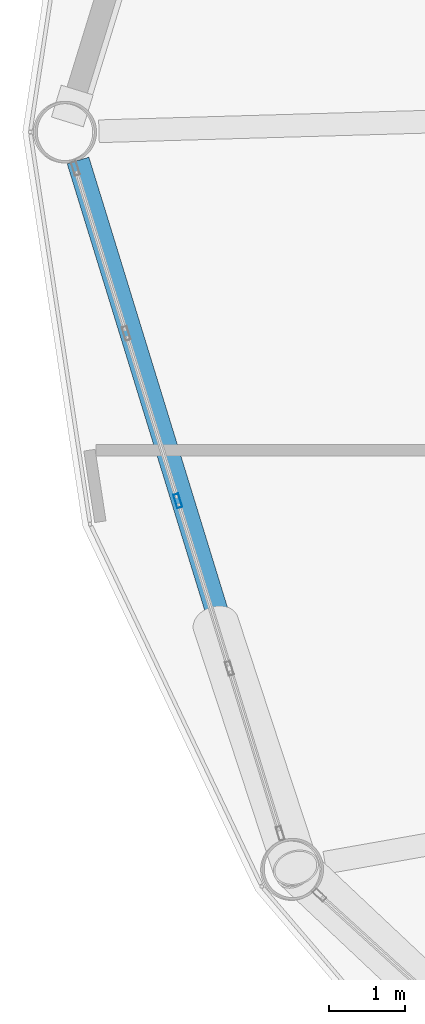
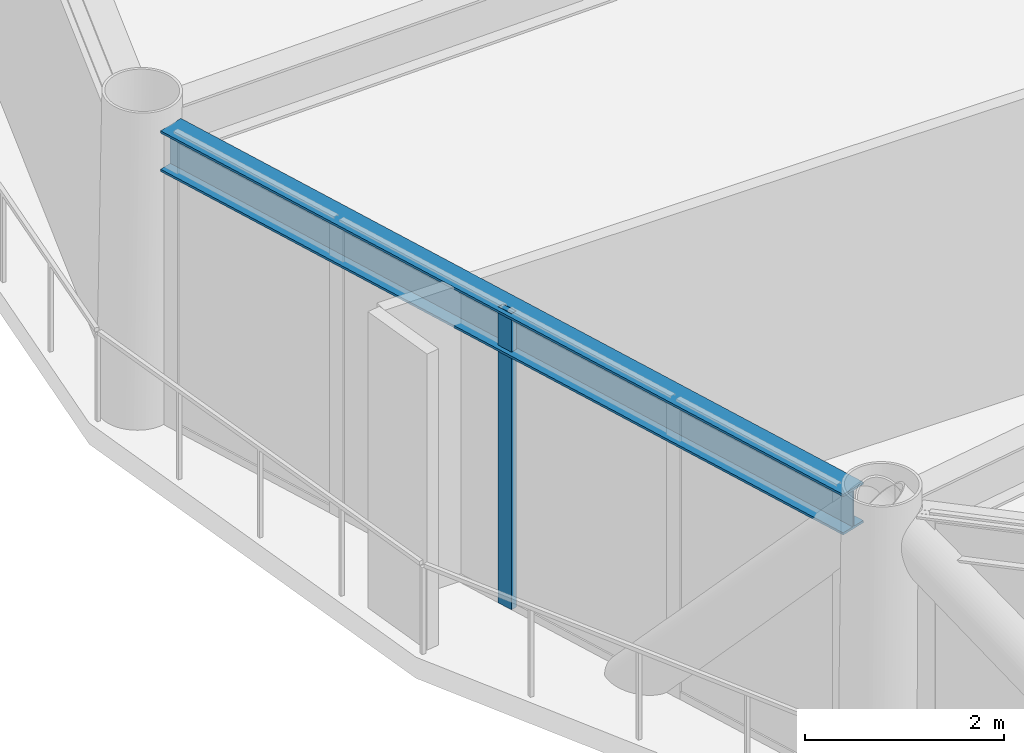
# One storey, part 3 of 23: 1 beam, 1 member, 1 element without a shape of its own.
"""IFC4 building model written with IfcOpenShell, lengths in metres."""

from ifc_helpers import new_model, si_unit, direction, frame, origin, origin_2d, place, context, subcontext, project, spatial, hollow_rectangle, i_section, extrude, material, layer, layer_set, material_profile, profile_set, type_object, element, aggregate, save


model = new_model("IFC4")

# Units and contexts
model_context = context("Model", 3, precision=1e-05, world=origin(), true_north=direction((0.0, 1.0)))
body_context = subcontext(model_context, "Body", "Model", "MODEL_VIEW")
ifc_project = project(units=[si_unit("LENGTHUNIT", "METRE"), si_unit("AREAUNIT", "SQUARE_METRE"), si_unit("VOLUMEUNIT", "CUBIC_METRE"), si_unit("PLANEANGLEUNIT", "RADIAN"), si_unit("MASSUNIT", "GRAM", prefix="KILO")], contexts=[model_context])

# Site, building, storey
site_placement = place(None, origin())
site = spatial("IfcSite", under=ifc_project, at=site_placement, CompositionType="ELEMENT")
building_placement = place(site_placement, origin())
building = spatial("IfcBuilding", under=site, at=building_placement, Name="Varnakorn Sky Granary", CompositionType="ELEMENT")
storey_placement = place(building_placement, frame((0.0, 0.0, 107.10009765625)))
storey = spatial("IfcBuildingStorey", under=building, at=storey_placement, Name="L26", CompositionType="ELEMENT", Elevation=107.10009765625)

# Beam
ifc_material_1 = material(Name="Steel S355JR", Category="steel")
ifc_material_profile_1 = material_profile(ifc_material_1, i_section(OverallWidth=0.300048828125, OverallDepth=0.5, WebThickness=0.014404296875, FlangeThickness=0.028076171875, at=origin_2d()), Name="HE 500 B")
ifc_profile_set_1 = profile_set([ifc_material_profile_1], Name="Steel S355JR")
beam_type = type_object("IfcBeamType", Name="BM-SPD-Z2", PredefinedType="SPANDREL", material=ifc_profile_set_1)
beam_placement = place(storey_placement, frame((-22.834716796875, -0.374267578125, 3.389892578125), z_axis=(0.29422848577, -0.955735108784, 0.0), x_axis=(0.955735108784, 0.29422848577, 0.0)))
element("IfcBeam", 1, at=beam_placement, inside=storey, type_object=beam_type, Name="Perimeter Spandrel Ring Beam RB07 L26", PredefinedType="SPANDREL", context=body_context, shape_type="SweptSolid", body=[
    extrude(i_section(OverallWidth=0.300048828125, OverallDepth=0.5, WebThickness=0.014404296875, FlangeThickness=0.028076171875, at=origin_2d()), origin(), (0.0, 0.0, 1.0), 9.38134765625),
])

# Curtain wall, member
ifc_material_2 = material(Name="Anodised Bronze Aluminium Alloy 6063-T6", Category="aluminium")
ifc_layer = layer(ifc_material_2, 0.179931640625, Name="Anodised Bronze Aluminium Alloy 6063-T6")
ifc_layer_set = layer_set([ifc_layer], Name="Anodised Bronze Aluminium Alloy 6063-T6")
curtain_wall_type = type_object("IfcCurtainWallType", Name="CW-FRM-2", PredefinedType="USERDEFINED", material=ifc_layer_set)
curtain_wall_placement = place(storey_placement, origin())
curtain_wall = element("IfcCurtainWall", 2, at=curtain_wall_placement, inside=storey, type_object=curtain_wall_type, Name="Unitised Curtain Wall CW4 CW-L26-B07", ObjectType="CURTAIN WALL", PredefinedType="USERDEFINED")
ifc_material_profile_2 = material_profile(ifc_material_2, hollow_rectangle(XDim=0.070068359375, YDim=0.18505859375, WallThickness=0.00390625, at=origin_2d()), Name="ALU MULL 70x185")
ifc_profile_set_2 = profile_set([ifc_material_profile_2], Name="Anodised Bronze Aluminium Alloy 6063-T6")
member_type = type_object("IfcMemberType", Name="CW-FRM-2-MULL", PredefinedType="MULLION", material=ifc_profile_set_2)
member_placement = place(storey_placement, frame((-21.51708984375, -4.869140625, 0.0), z_axis=(0.0, 0.0, 1.0), x_axis=(-0.955691611808, -0.294369738798, 0.0)))
member = element("IfcMember", 3, at=member_placement, type_object=member_type, Name="CW4 mullion 3", PredefinedType="MULLION", context=body_context, shape_type="SweptSolid", body=[
    extrude(hollow_rectangle(XDim=0.070068359375, YDim=0.18505859375, WallThickness=0.00390625, at=origin_2d()), origin(), (0.0, 0.0, 1.0), 3.639892578125),
])
aggregate(curtain_wall, [member])

save(model, "model.ifc")
